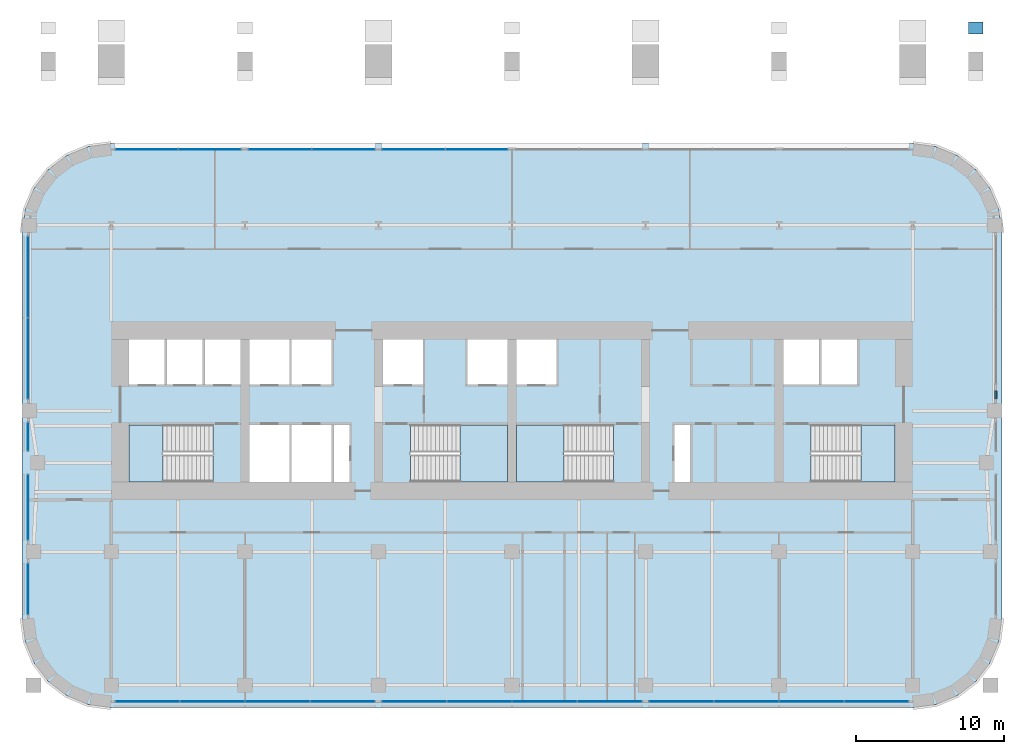
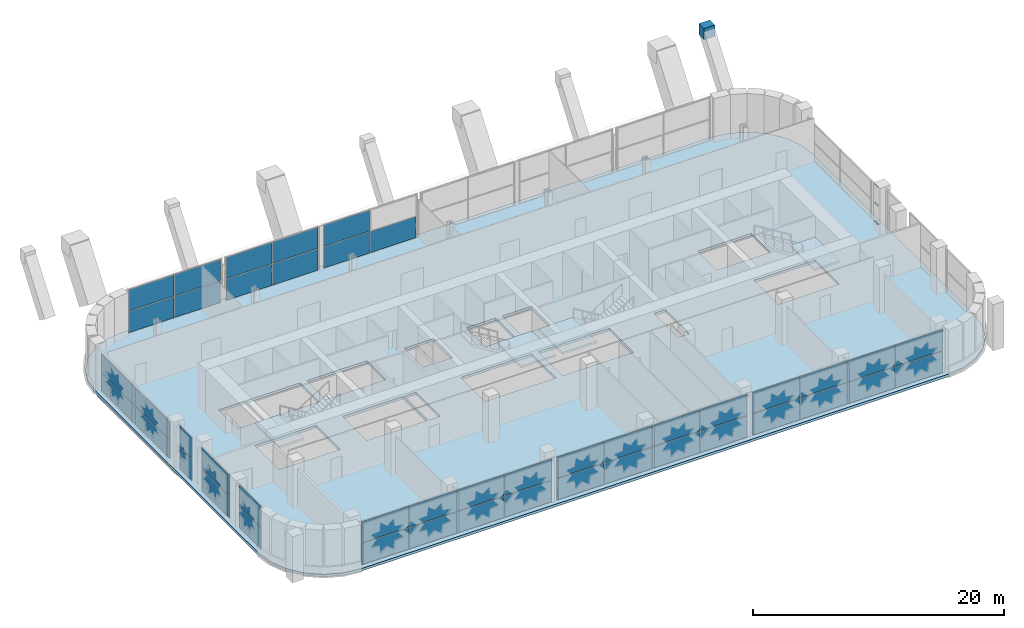
# One storey, part 13 of 24: 45 plates, 5 slabs, 3 members, 1 beam, 15 elements without a shape of their own.
"""IFC4 building model written with IfcOpenShell, lengths in metres."""

from ifc_helpers import new_model, si_unit, direction, frame, origin, origin_2d, place, context, subcontext, project, spatial, polyline, rectangle, outline, extrude, material, layer, layer_set, material_profile, profile_set, type_object, element, aggregate, save


model = new_model("IFC4")

# Units and contexts
model_context = context("Model", 3, precision=1e-05, world=origin(), true_north=direction((0.0, 1.0)))
body_context = subcontext(model_context, "Body", "Model", "MODEL_VIEW")
ifc_project = project(units=[si_unit("LENGTHUNIT", "METRE"), si_unit("AREAUNIT", "SQUARE_METRE"), si_unit("VOLUMEUNIT", "CUBIC_METRE"), si_unit("PLANEANGLEUNIT", "RADIAN"), si_unit("MASSUNIT", "GRAM", prefix="KILO")], contexts=[model_context])

# Site, building, storey
site_placement = place(None, origin())
site = spatial("IfcSite", under=ifc_project, at=site_placement, CompositionType="ELEMENT")
building_placement = place(site_placement, origin())
building = spatial("IfcBuilding", under=site, at=building_placement, Name="Zellij Exchange Tower", CompositionType="ELEMENT")
storey_placement = place(building_placement, frame((0.0, 0.0, 48.0)))
storey = spatial("IfcBuildingStorey", under=building, at=storey_placement, Name="L08", CompositionType="ELEMENT", Elevation=48.0)

# Curtain wall, members
ifc_material_1 = material(Name="Aluminium frame, clear insulating glass", Category="aluminium")
curtain_wall_type = type_object("IfcCurtainWallType", Name="ENV-CW1 Sky-garden glazing", PredefinedType="NOTDEFINED", material=ifc_material_1)
curtain_wall_1_placement = place(storey_placement, origin())
curtain_wall_1 = element("IfcCurtainWall", 1, at=curtain_wall_1_placement, inside=storey, type_object=curtain_wall_type, Name="cw.L08.07d", PredefinedType="NOTDEFINED")
ifc_material_2 = material(Name="Aluminium", Category="aluminium")
ifc_material_profile_1 = material_profile(ifc_material_2, rectangle(XDim=0.1201171875, YDim=0.06005859375, at=origin_2d()), Name="AL 120x60")
ifc_profile_set_1 = profile_set([ifc_material_profile_1], Name="Aluminium")
member_type = type_object("IfcMemberType", Name="ENV-CW1T Transom 120x60", PredefinedType="USERDEFINED", material=ifc_profile_set_1)
member_1_placement = place(storey_placement, frame((32.60009765625, -7.18994140625, 0.030029296875), z_axis=(0.0, 1.0, 0.0), x_axis=(-1.0, 0.0, 0.0)))
member_1 = element("IfcMember", 2, at=member_1_placement, type_object=member_type, Name="CW1 transom 1.1", ObjectType="TRANSOM", PredefinedType="USERDEFINED", context=body_context, shape_type="SweptSolid", body=[
    extrude(rectangle(XDim=0.1201171875, YDim=0.06005859375, at=origin_2d()), origin(), (0.0, 0.0, 1.0), 0.524658203125),
])
member_2_placement = place(storey_placement, frame((32.60009765625, -7.18994140625, 1.8388671875), z_axis=(0.0, 1.0, 0.0), x_axis=(-1.0, 0.0, 0.0)))
member_2 = element("IfcMember", 3, at=member_2_placement, type_object=member_type, Name="CW1 transom 1.2", ObjectType="TRANSOM", PredefinedType="USERDEFINED", context=body_context, shape_type="SweptSolid", body=[
    extrude(rectangle(XDim=0.1201171875, YDim=0.06005859375, at=origin_2d()), origin(), (0.0, 0.0, 1.0), 0.524658203125),
])
member_3_placement = place(storey_placement, frame((32.60009765625, -7.18994140625, 3.647705078125), z_axis=(0.0, 1.0, 0.0), x_axis=(-1.0, 0.0, 0.0)))
member_3 = element("IfcMember", 4, at=member_3_placement, type_object=member_type, Name="CW1 transom 1.3", ObjectType="TRANSOM", PredefinedType="USERDEFINED", context=body_context, shape_type="SweptSolid", body=[
    extrude(rectangle(XDim=0.1201171875, YDim=0.06005859375, at=origin_2d()), origin(), (0.0, 0.0, 1.0), 0.524658203125),
])
aggregate(curtain_wall_1, [member_1, member_2, member_3])

# Beam
ifc_material_3 = material(Name="Concrete C70/85", Category="concrete")
ifc_material_profile_2 = material_profile(ifc_material_3, rectangle(XDim=1.0, YDim=1.10009765625, at=origin_2d()), Name="STR-KNUCKLE BLOCK RC1000x1100 C70/85")
ifc_profile_set_2 = profile_set([ifc_material_profile_2], Name="Concrete C70/85")
beam_type = type_object("IfcBeamType", Name="STR-KNUCKLE BLOCK RC1000x1100 C70/85", PredefinedType="BEAM", material=ifc_profile_set_2)
beam_placement = place(storey_placement, frame((31.25, 17.377685546875, 4.27490234375), z_axis=(0.0, 1.0, 0.0), x_axis=(-1.0, 0.0, 0.0)))
element("IfcBeam", 5, at=beam_placement, inside=storey, type_object=beam_type, Name="KB4", PredefinedType="BEAM", context=body_context, shape_type="SweptSolid", body=[
    extrude(rectangle(XDim=1.0, YDim=1.10009765625, at=origin_2d()), origin(), (0.0, 0.0, 1.0), 0.8037109375),
])

# Stair, slab
ifc_material_4 = material(Name="Concrete C40/50", Category="concrete")
stair_type = type_object("IfcStairType", Name="CORE-ST exit stair 1850 wide", PredefinedType="HALF_TURN_STAIR", material=ifc_material_4)
stair_1_placement = place(storey_placement, origin())
stair_1 = element("IfcStair", 6, at=stair_1_placement, inside=storey, type_object=stair_type, Name="L08 exit stair ST1", PredefinedType="HALF_TURN_STAIR")
ifc_layer_1 = layer(ifc_material_4, 0.199951171875)
ifc_layer_set_1 = layer_set([ifc_layer_1], Name="Concrete C40/50")
slab_type_1 = type_object("IfcSlabType", Name="CORE-SL stair landing 200", PredefinedType="LANDING", material=ifc_layer_set_1)
slab_1_placement = place(storey_placement, frame((0.0, 0.0, 2.050048828125)))
slab_1 = element("IfcSlab", 7, at=slab_1_placement, type_object=slab_type_1, Name="ST1 landing 1", PredefinedType="LANDING", context=body_context, shape_type="SweptSolid", body=[
    extrude(outline(polyline([(-23.510009765625, -8.949951171875), (-25.800048828125, -8.949951171875), (-25.800048828125, -12.800048828125), (-23.510009765625, -12.800048828125), (-23.510009765625, -8.949951171875)])), origin(), (0.0, 0.0, 1.0), 0.199951171875),
])
aggregate(stair_1, [slab_1])

stair_2_placement = place(storey_placement, origin())
stair_2 = element("IfcStair", 8, at=stair_2_placement, inside=storey, type_object=stair_type, Name="L08 exit stair ST2", PredefinedType="HALF_TURN_STAIR")
slab_2_placement = place(storey_placement, frame((0.0, 0.0, 2.050048828125)))
slab_2 = element("IfcSlab", 9, at=slab_2_placement, type_object=slab_type_1, Name="ST2 landing 1", PredefinedType="LANDING", context=body_context, shape_type="SweptSolid", body=[
    extrude(outline(polyline([(-3.489990234375, -12.800048828125), (-0.300048828125, -12.800048828125), (-0.300048828125, -8.949951171875), (-3.489990234375, -8.949951171875), (-3.489990234375, -12.800048828125)])), origin(), (0.0, 0.0, 1.0), 0.199951171875),
])
aggregate(stair_2, [slab_2])

stair_3_placement = place(storey_placement, origin())
stair_3 = element("IfcStair", 10, at=stair_3_placement, inside=storey, type_object=stair_type, Name="L08 exit stair ST3", PredefinedType="HALF_TURN_STAIR")
slab_3_placement = place(storey_placement, frame((0.0, 0.0, 2.050048828125)))
slab_3 = element("IfcSlab", 11, at=slab_3_placement, type_object=slab_type_1, Name="ST3 landing 1", PredefinedType="LANDING", context=body_context, shape_type="SweptSolid", body=[
    extrude(outline(polyline([(3.489990234375, -8.949951171875), (0.300048828125, -8.949951171875), (0.300048828125, -12.800048828125), (3.489990234375, -12.800048828125), (3.489990234375, -8.949951171875)])), origin(), (0.0, 0.0, 1.0), 0.199951171875),
])
aggregate(stair_3, [slab_3])

stair_4_placement = place(storey_placement, origin())
stair_4 = element("IfcStair", 12, at=stair_4_placement, inside=storey, type_object=stair_type, Name="L08 exit stair ST4", PredefinedType="HALF_TURN_STAIR")
slab_4_placement = place(storey_placement, frame((0.0, 0.0, 2.050048828125)))
slab_4 = element("IfcSlab", 13, at=slab_4_placement, type_object=slab_type_1, Name="ST4 landing 1", PredefinedType="LANDING", context=body_context, shape_type="SweptSolid", body=[
    extrude(outline(polyline([(23.510009765625, -12.800048828125), (25.800048828125, -12.800048828125), (25.800048828125, -8.949951171875), (23.510009765625, -8.949951171875), (23.510009765625, -12.800048828125)])), origin(), (0.0, 0.0, 1.0), 0.199951171875),
])
aggregate(stair_4, [slab_4])

# Curtain wall, plates
curtain_wall_2_placement = place(storey_placement, origin())
curtain_wall_2 = element("IfcCurtainWall", 14, at=curtain_wall_2_placement, inside=storey, type_object=curtain_wall_type, Name="cw.L08.00a", PredefinedType="NOTDEFINED")
ifc_material_5 = material(Name="Insulating glass unit, clear", Category="glass")
ifc_layer_2 = layer(ifc_material_5, 0.031982421875)
ifc_layer_set_2 = layer_set([ifc_layer_2], Name="Insulating glass unit, clear")
plate_type = type_object("IfcPlateType", Name="ENV-CW1P Glazed panel 32", PredefinedType="CURTAIN_PANEL", material=ifc_layer_set_2)
plate_1_placement = place(storey_placement, frame((-24.56201171875, -27.60009765625, 0.06005859375), z_axis=(0.0, 0.0, 1.0), x_axis=(1.0, 0.0, 0.0)))
plate_1 = element("IfcPlate", 15, at=plate_1_placement, type_object=plate_type, Name="CW1 panel 1.1", PredefinedType="CURTAIN_PANEL", context=body_context, shape_type="SweptSolid", body=[
    extrude(rectangle(XDim=4.303466796875, YDim=0.031982421875, at=origin_2d()), origin(), (0.0, 0.0, 1.0), 2.06005859375),
])
plate_2_placement = place(storey_placement, frame((-24.56201171875, -27.60009765625, 2.179931640625), z_axis=(0.0, 0.0, 1.0), x_axis=(1.0, 0.0, 0.0)))
plate_2 = element("IfcPlate", 16, at=plate_2_placement, type_object=plate_type, Name="CW1 panel 1.2", PredefinedType="CURTAIN_PANEL", context=body_context, shape_type="SweptSolid", body=[
    extrude(rectangle(XDim=4.303466796875, YDim=0.031982421875, at=origin_2d()), origin(), (0.0, 0.0, 1.0), 2.06005859375),
])
plate_3_placement = place(storey_placement, frame((-20.18359375, -27.60009765625, 0.06005859375), z_axis=(0.0, 0.0, 1.0), x_axis=(1.0, 0.0, 0.0)))
plate_3 = element("IfcPlate", 17, at=plate_3_placement, type_object=plate_type, Name="CW1 panel 2.1", PredefinedType="CURTAIN_PANEL", context=body_context, shape_type="SweptSolid", body=[
    extrude(rectangle(XDim=4.33349609375, YDim=0.031982421875, at=origin_2d()), origin(), (0.0, 0.0, 1.0), 2.06005859375),
])
plate_4_placement = place(storey_placement, frame((-20.18359375, -27.60009765625, 2.179931640625), z_axis=(0.0, 0.0, 1.0), x_axis=(1.0, 0.0, 0.0)))
plate_4 = element("IfcPlate", 18, at=plate_4_placement, type_object=plate_type, Name="CW1 panel 2.2", PredefinedType="CURTAIN_PANEL", context=body_context, shape_type="SweptSolid", body=[
    extrude(rectangle(XDim=4.33349609375, YDim=0.031982421875, at=origin_2d()), origin(), (0.0, 0.0, 1.0), 2.06005859375),
])
plate_5_placement = place(storey_placement, frame((-15.790283203125, -27.60009765625, 0.06005859375), z_axis=(0.0, 0.0, 1.0), x_axis=(1.0, 0.0, 0.0)))
plate_5 = element("IfcPlate", 19, at=plate_5_placement, type_object=plate_type, Name="CW1 panel 3.1", PredefinedType="CURTAIN_PANEL", context=body_context, shape_type="SweptSolid", body=[
    extrude(rectangle(XDim=4.33349609375, YDim=0.031982421875, at=origin_2d()), origin(), (0.0, 0.0, 1.0), 2.06005859375),
])
plate_6_placement = place(storey_placement, frame((-15.790283203125, -27.60009765625, 2.179931640625), z_axis=(0.0, 0.0, 1.0), x_axis=(1.0, 0.0, 0.0)))
plate_6 = element("IfcPlate", 20, at=plate_6_placement, type_object=plate_type, Name="CW1 panel 3.2", PredefinedType="CURTAIN_PANEL", context=body_context, shape_type="SweptSolid", body=[
    extrude(rectangle(XDim=4.33349609375, YDim=0.031982421875, at=origin_2d()), origin(), (0.0, 0.0, 1.0), 2.06005859375),
])
plate_7_placement = place(storey_placement, frame((-11.41162109375, -27.60009765625, 0.06005859375), z_axis=(0.0, 0.0, 1.0), x_axis=(1.0, 0.0, 0.0)))
plate_7 = element("IfcPlate", 21, at=plate_7_placement, type_object=plate_type, Name="CW1 panel 4.1", PredefinedType="CURTAIN_PANEL", context=body_context, shape_type="SweptSolid", body=[
    extrude(rectangle(XDim=4.303466796875, YDim=0.031982421875, at=origin_2d()), origin(), (0.0, 0.0, 1.0), 2.06005859375),
])
plate_8_placement = place(storey_placement, frame((-11.41162109375, -27.60009765625, 2.179931640625), z_axis=(0.0, 0.0, 1.0), x_axis=(1.0, 0.0, 0.0)))
plate_8 = element("IfcPlate", 22, at=plate_8_placement, type_object=plate_type, Name="CW1 panel 4.2", PredefinedType="CURTAIN_PANEL", context=body_context, shape_type="SweptSolid", body=[
    extrude(rectangle(XDim=4.303466796875, YDim=0.031982421875, at=origin_2d()), origin(), (0.0, 0.0, 1.0), 2.06005859375),
])
aggregate(curtain_wall_2, [plate_1, plate_2, plate_3, plate_4, plate_5, plate_6, plate_7, plate_8])

curtain_wall_3_placement = place(storey_placement, origin())
curtain_wall_3 = element("IfcCurtainWall", 23, at=curtain_wall_3_placement, inside=storey, type_object=curtain_wall_type, Name="cw.L08.00b", PredefinedType="NOTDEFINED")
plate_9_placement = place(storey_placement, frame((-6.5849609375, -27.60009765625, 0.06005859375), z_axis=(0.0, 0.0, 1.0), x_axis=(1.0, 0.0, 0.0)))
plate_9 = element("IfcPlate", 24, at=plate_9_placement, type_object=plate_type, Name="CW1 panel 1.1", PredefinedType="CURTAIN_PANEL", context=body_context, shape_type="SweptSolid", body=[
    extrude(rectangle(XDim=4.31005859375, YDim=0.031982421875, at=origin_2d()), origin(), (0.0, 0.0, 1.0), 2.06005859375),
])
plate_10_placement = place(storey_placement, frame((-6.5849609375, -27.60009765625, 2.179931640625), z_axis=(0.0, 0.0, 1.0), x_axis=(1.0, 0.0, 0.0)))
plate_10 = element("IfcPlate", 25, at=plate_10_placement, type_object=plate_type, Name="CW1 panel 1.2", PredefinedType="CURTAIN_PANEL", context=body_context, shape_type="SweptSolid", body=[
    extrude(rectangle(XDim=4.31005859375, YDim=0.031982421875, at=origin_2d()), origin(), (0.0, 0.0, 1.0), 2.06005859375),
])
plate_11_placement = place(storey_placement, frame((-2.199951171875, -27.60009765625, 0.06005859375), z_axis=(0.0, 0.0, 1.0), x_axis=(1.0, 0.0, 0.0)))
plate_11 = element("IfcPlate", 26, at=plate_11_placement, type_object=plate_type, Name="CW1 panel 2.1", PredefinedType="CURTAIN_PANEL", context=body_context, shape_type="SweptSolid", body=[
    extrude(rectangle(XDim=4.340087890625, YDim=0.031982421875, at=origin_2d()), origin(), (0.0, 0.0, 1.0), 2.06005859375),
])
plate_12_placement = place(storey_placement, frame((-2.199951171875, -27.60009765625, 2.179931640625), z_axis=(0.0, 0.0, 1.0), x_axis=(1.0, 0.0, 0.0)))
plate_12 = element("IfcPlate", 27, at=plate_12_placement, type_object=plate_type, Name="CW1 panel 2.2", PredefinedType="CURTAIN_PANEL", context=body_context, shape_type="SweptSolid", body=[
    extrude(rectangle(XDim=4.340087890625, YDim=0.031982421875, at=origin_2d()), origin(), (0.0, 0.0, 1.0), 2.06005859375),
])
plate_13_placement = place(storey_placement, frame((2.199951171875, -27.60009765625, 0.06005859375), z_axis=(0.0, 0.0, 1.0), x_axis=(1.0, 0.0, 0.0)))
plate_13 = element("IfcPlate", 28, at=plate_13_placement, type_object=plate_type, Name="CW1 panel 3.1", PredefinedType="CURTAIN_PANEL", context=body_context, shape_type="SweptSolid", body=[
    extrude(rectangle(XDim=4.340087890625, YDim=0.031982421875, at=origin_2d()), origin(), (0.0, 0.0, 1.0), 2.06005859375),
])
plate_14_placement = place(storey_placement, frame((2.199951171875, -27.60009765625, 2.179931640625), z_axis=(0.0, 0.0, 1.0), x_axis=(1.0, 0.0, 0.0)))
plate_14 = element("IfcPlate", 29, at=plate_14_placement, type_object=plate_type, Name="CW1 panel 3.2", PredefinedType="CURTAIN_PANEL", context=body_context, shape_type="SweptSolid", body=[
    extrude(rectangle(XDim=4.340087890625, YDim=0.031982421875, at=origin_2d()), origin(), (0.0, 0.0, 1.0), 2.06005859375),
])
plate_15_placement = place(storey_placement, frame((6.5849609375, -27.60009765625, 0.06005859375), z_axis=(0.0, 0.0, 1.0), x_axis=(1.0, 0.0, 0.0)))
plate_15 = element("IfcPlate", 30, at=plate_15_placement, type_object=plate_type, Name="CW1 panel 4.1", PredefinedType="CURTAIN_PANEL", context=body_context, shape_type="SweptSolid", body=[
    extrude(rectangle(XDim=4.31005859375, YDim=0.031982421875, at=origin_2d()), origin(), (0.0, 0.0, 1.0), 2.06005859375),
])
plate_16_placement = place(storey_placement, frame((6.5849609375, -27.60009765625, 2.179931640625), z_axis=(0.0, 0.0, 1.0), x_axis=(1.0, 0.0, 0.0)))
plate_16 = element("IfcPlate", 31, at=plate_16_placement, type_object=plate_type, Name="CW1 panel 4.2", PredefinedType="CURTAIN_PANEL", context=body_context, shape_type="SweptSolid", body=[
    extrude(rectangle(XDim=4.31005859375, YDim=0.031982421875, at=origin_2d()), origin(), (0.0, 0.0, 1.0), 2.06005859375),
])
aggregate(curtain_wall_3, [plate_9, plate_10, plate_11, plate_12, plate_13, plate_14, plate_15, plate_16])

curtain_wall_4_placement = place(storey_placement, origin())
curtain_wall_4 = element("IfcCurtainWall", 32, at=curtain_wall_4_placement, inside=storey, type_object=curtain_wall_type, Name="cw.L08.00c", PredefinedType="NOTDEFINED")
plate_17_placement = place(storey_placement, frame((11.41162109375, -27.60009765625, 0.06005859375), z_axis=(0.0, 0.0, 1.0), x_axis=(1.0, 0.0, 0.0)))
plate_17 = element("IfcPlate", 33, at=plate_17_placement, type_object=plate_type, Name="CW1 panel 1.1", PredefinedType="CURTAIN_PANEL", context=body_context, shape_type="SweptSolid", body=[
    extrude(rectangle(XDim=4.303466796875, YDim=0.031982421875, at=origin_2d()), origin(), (0.0, 0.0, 1.0), 2.06005859375),
])
plate_18_placement = place(storey_placement, frame((11.41162109375, -27.60009765625, 2.179931640625), z_axis=(0.0, 0.0, 1.0), x_axis=(1.0, 0.0, 0.0)))
plate_18 = element("IfcPlate", 34, at=plate_18_placement, type_object=plate_type, Name="CW1 panel 1.2", PredefinedType="CURTAIN_PANEL", context=body_context, shape_type="SweptSolid", body=[
    extrude(rectangle(XDim=4.303466796875, YDim=0.031982421875, at=origin_2d()), origin(), (0.0, 0.0, 1.0), 2.06005859375),
])
plate_19_placement = place(storey_placement, frame((15.790283203125, -27.60009765625, 0.06005859375), z_axis=(0.0, 0.0, 1.0), x_axis=(1.0, 0.0, 0.0)))
plate_19 = element("IfcPlate", 35, at=plate_19_placement, type_object=plate_type, Name="CW1 panel 2.1", PredefinedType="CURTAIN_PANEL", context=body_context, shape_type="SweptSolid", body=[
    extrude(rectangle(XDim=4.33349609375, YDim=0.031982421875, at=origin_2d()), origin(), (0.0, 0.0, 1.0), 2.06005859375),
])
plate_20_placement = place(storey_placement, frame((15.790283203125, -27.60009765625, 2.179931640625), z_axis=(0.0, 0.0, 1.0), x_axis=(1.0, 0.0, 0.0)))
plate_20 = element("IfcPlate", 36, at=plate_20_placement, type_object=plate_type, Name="CW1 panel 2.2", PredefinedType="CURTAIN_PANEL", context=body_context, shape_type="SweptSolid", body=[
    extrude(rectangle(XDim=4.33349609375, YDim=0.031982421875, at=origin_2d()), origin(), (0.0, 0.0, 1.0), 2.06005859375),
])
plate_21_placement = place(storey_placement, frame((20.18359375, -27.60009765625, 0.06005859375), z_axis=(0.0, 0.0, 1.0), x_axis=(1.0, 0.0, 0.0)))
plate_21 = element("IfcPlate", 37, at=plate_21_placement, type_object=plate_type, Name="CW1 panel 3.1", PredefinedType="CURTAIN_PANEL", context=body_context, shape_type="SweptSolid", body=[
    extrude(rectangle(XDim=4.33349609375, YDim=0.031982421875, at=origin_2d()), origin(), (0.0, 0.0, 1.0), 2.06005859375),
])
plate_22_placement = place(storey_placement, frame((20.18359375, -27.60009765625, 2.179931640625), z_axis=(0.0, 0.0, 1.0), x_axis=(1.0, 0.0, 0.0)))
plate_22 = element("IfcPlate", 38, at=plate_22_placement, type_object=plate_type, Name="CW1 panel 3.2", PredefinedType="CURTAIN_PANEL", context=body_context, shape_type="SweptSolid", body=[
    extrude(rectangle(XDim=4.33349609375, YDim=0.031982421875, at=origin_2d()), origin(), (0.0, 0.0, 1.0), 2.06005859375),
])
plate_23_placement = place(storey_placement, frame((24.56201171875, -27.60009765625, 0.06005859375), z_axis=(0.0, 0.0, 1.0), x_axis=(1.0, 0.0, 0.0)))
plate_23 = element("IfcPlate", 39, at=plate_23_placement, type_object=plate_type, Name="CW1 panel 4.1", PredefinedType="CURTAIN_PANEL", context=body_context, shape_type="SweptSolid", body=[
    extrude(rectangle(XDim=4.303466796875, YDim=0.031982421875, at=origin_2d()), origin(), (0.0, 0.0, 1.0), 2.06005859375),
])
plate_24_placement = place(storey_placement, frame((24.56201171875, -27.60009765625, 2.179931640625), z_axis=(0.0, 0.0, 1.0), x_axis=(1.0, 0.0, 0.0)))
plate_24 = element("IfcPlate", 40, at=plate_24_placement, type_object=plate_type, Name="CW1 panel 4.2", PredefinedType="CURTAIN_PANEL", context=body_context, shape_type="SweptSolid", body=[
    extrude(rectangle(XDim=4.303466796875, YDim=0.031982421875, at=origin_2d()), origin(), (0.0, 0.0, 1.0), 2.06005859375),
])
aggregate(curtain_wall_4, [plate_17, plate_18, plate_19, plate_20, plate_21, plate_22, plate_23, plate_24])

curtain_wall_5_placement = place(storey_placement, origin())
curtain_wall_5 = element("IfcCurtainWall", 41, at=curtain_wall_5_placement, inside=storey, type_object=curtain_wall_type, Name="cw.L08.14b.b", PredefinedType="NOTDEFINED")
plate_25_placement = place(storey_placement, frame((-2.3759765625, 9.60009765625, 0.06005859375), z_axis=(0.0, 0.0, 1.0), x_axis=(-1.0, 0.0, 0.0)))
plate_25 = element("IfcPlate", 42, at=plate_25_placement, type_object=plate_type, Name="CW1 panel 1.1", PredefinedType="CURTAIN_PANEL", context=body_context, shape_type="SweptSolid", body=[
    extrude(rectangle(XDim=4.20263671875, YDim=0.031982421875, at=origin_2d()), origin(), (0.0, 0.0, 1.0), 2.06005859375),
])
plate_26_placement = place(storey_placement, frame((-6.638671875, 9.60009765625, 0.06005859375), z_axis=(0.0, 0.0, 1.0), x_axis=(-1.0, 0.0, 0.0)))
plate_26 = element("IfcPlate", 43, at=plate_26_placement, type_object=plate_type, Name="CW1 panel 2.1", PredefinedType="CURTAIN_PANEL", context=body_context, shape_type="SweptSolid", body=[
    extrude(rectangle(XDim=4.20263671875, YDim=0.031982421875, at=origin_2d()), origin(), (0.0, 0.0, 1.0), 2.06005859375),
])
plate_27_placement = place(storey_placement, frame((-6.638671875, 9.60009765625, 2.179931640625), z_axis=(0.0, 0.0, 1.0), x_axis=(-1.0, 0.0, 0.0)))
plate_27 = element("IfcPlate", 44, at=plate_27_placement, type_object=plate_type, Name="CW1 panel 2.2", PredefinedType="CURTAIN_PANEL", context=body_context, shape_type="SweptSolid", body=[
    extrude(rectangle(XDim=4.20263671875, YDim=0.031982421875, at=origin_2d()), origin(), (0.0, 0.0, 1.0), 2.06005859375),
])
aggregate(curtain_wall_5, [plate_25, plate_26, plate_27])

curtain_wall_6_placement = place(storey_placement, origin())
curtain_wall_6 = element("IfcCurtainWall", 45, at=curtain_wall_6_placement, inside=storey, type_object=curtain_wall_type, Name="cw.L08.14c.a", PredefinedType="NOTDEFINED")
plate_28_placement = place(storey_placement, frame((-11.361328125, 9.60009765625, 0.06005859375), z_axis=(0.0, 0.0, 1.0), x_axis=(-1.0, 0.0, 0.0)))
plate_28 = element("IfcPlate", 46, at=plate_28_placement, type_object=plate_type, Name="CW1 panel 1.1", PredefinedType="CURTAIN_PANEL", context=body_context, shape_type="SweptSolid", body=[
    extrude(rectangle(XDim=4.20263671875, YDim=0.031982421875, at=origin_2d()), origin(), (0.0, 0.0, 1.0), 2.06005859375),
])
plate_29_placement = place(storey_placement, frame((-11.361328125, 9.60009765625, 2.179931640625), z_axis=(0.0, 0.0, 1.0), x_axis=(-1.0, 0.0, 0.0)))
plate_29 = element("IfcPlate", 47, at=plate_29_placement, type_object=plate_type, Name="CW1 panel 1.2", PredefinedType="CURTAIN_PANEL", context=body_context, shape_type="SweptSolid", body=[
    extrude(rectangle(XDim=4.20263671875, YDim=0.031982421875, at=origin_2d()), origin(), (0.0, 0.0, 1.0), 2.06005859375),
])
plate_30_placement = place(storey_placement, frame((-15.6240234375, 9.60009765625, 0.06005859375), z_axis=(0.0, 0.0, 1.0), x_axis=(-1.0, 0.0, 0.0)))
plate_30 = element("IfcPlate", 48, at=plate_30_placement, type_object=plate_type, Name="CW1 panel 2.1", PredefinedType="CURTAIN_PANEL", context=body_context, shape_type="SweptSolid", body=[
    extrude(rectangle(XDim=4.20263671875, YDim=0.031982421875, at=origin_2d()), origin(), (0.0, 0.0, 1.0), 2.06005859375),
])
plate_31_placement = place(storey_placement, frame((-15.6240234375, 9.60009765625, 2.179931640625), z_axis=(0.0, 0.0, 1.0), x_axis=(-1.0, 0.0, 0.0)))
plate_31 = element("IfcPlate", 49, at=plate_31_placement, type_object=plate_type, Name="CW1 panel 2.2", PredefinedType="CURTAIN_PANEL", context=body_context, shape_type="SweptSolid", body=[
    extrude(rectangle(XDim=4.20263671875, YDim=0.031982421875, at=origin_2d()), origin(), (0.0, 0.0, 1.0), 2.06005859375),
])
aggregate(curtain_wall_6, [plate_28, plate_29, plate_30, plate_31])

curtain_wall_7_placement = place(storey_placement, origin())
curtain_wall_7 = element("IfcCurtainWall", 50, at=curtain_wall_7_placement, inside=storey, type_object=curtain_wall_type, Name="cw.L08.14c.b", PredefinedType="NOTDEFINED")
plate_32_placement = place(storey_placement, frame((-20.369384765625, 9.60009765625, 0.06005859375), z_axis=(0.0, 0.0, 1.0), x_axis=(-1.0, 0.0, 0.0)))
plate_32 = element("IfcPlate", 51, at=plate_32_placement, type_object=plate_type, Name="CW1 panel 1.1", PredefinedType="CURTAIN_PANEL", context=body_context, shape_type="SweptSolid", body=[
    extrude(rectangle(XDim=4.189697265625, YDim=0.031982421875, at=origin_2d()), origin(), (0.0, 0.0, 1.0), 2.06005859375),
])
plate_33_placement = place(storey_placement, frame((-20.369384765625, 9.60009765625, 2.179931640625), z_axis=(0.0, 0.0, 1.0), x_axis=(-1.0, 0.0, 0.0)))
plate_33 = element("IfcPlate", 52, at=plate_33_placement, type_object=plate_type, Name="CW1 panel 1.2", PredefinedType="CURTAIN_PANEL", context=body_context, shape_type="SweptSolid", body=[
    extrude(rectangle(XDim=4.189697265625, YDim=0.031982421875, at=origin_2d()), origin(), (0.0, 0.0, 1.0), 2.06005859375),
])
plate_34_placement = place(storey_placement, frame((-24.618896484375, 9.60009765625, 0.06005859375), z_axis=(0.0, 0.0, 1.0), x_axis=(-1.0, 0.0, 0.0)))
plate_34 = element("IfcPlate", 53, at=plate_34_placement, type_object=plate_type, Name="CW1 panel 2.1", PredefinedType="CURTAIN_PANEL", context=body_context, shape_type="SweptSolid", body=[
    extrude(rectangle(XDim=4.189697265625, YDim=0.031982421875, at=origin_2d()), origin(), (0.0, 0.0, 1.0), 2.06005859375),
])
plate_35_placement = place(storey_placement, frame((-24.618896484375, 9.60009765625, 2.179931640625), z_axis=(0.0, 0.0, 1.0), x_axis=(-1.0, 0.0, 0.0)))
plate_35 = element("IfcPlate", 54, at=plate_35_placement, type_object=plate_type, Name="CW1 panel 2.2", PredefinedType="CURTAIN_PANEL", context=body_context, shape_type="SweptSolid", body=[
    extrude(rectangle(XDim=4.189697265625, YDim=0.031982421875, at=origin_2d()), origin(), (0.0, 0.0, 1.0), 2.06005859375),
])
aggregate(curtain_wall_7, [plate_32, plate_33, plate_34, plate_35])

curtain_wall_8_placement = place(storey_placement, origin())
curtain_wall_8 = element("IfcCurtainWall", 55, at=curtain_wall_8_placement, inside=storey, type_object=curtain_wall_type, Name="cw.L08.21a", PredefinedType="NOTDEFINED")
plate_36_placement = place(storey_placement, frame((-32.60009765625, 1.0029296875, 0.06005859375), z_axis=(0.0, 0.0, 1.0), x_axis=(0.0, -1.0, 0.0)))
plate_36 = element("IfcPlate", 56, at=plate_36_placement, type_object=plate_type, Name="CW1 panel 1.1", PredefinedType="CURTAIN_PANEL", context=body_context, shape_type="SweptSolid", body=[
    extrude(rectangle(XDim=5.421875, YDim=0.031982421875, at=origin_2d()), origin(), (0.0, 0.0, 1.0), 1.748779296875),
])
plate_37_placement = place(storey_placement, frame((-32.60009765625, 1.0029296875, 1.869140625), z_axis=(0.0, 0.0, 1.0), x_axis=(0.0, -1.0, 0.0)))
plate_37 = element("IfcPlate", 57, at=plate_37_placement, type_object=plate_type, Name="CW1 panel 1.2", PredefinedType="CURTAIN_PANEL", context=body_context, shape_type="SweptSolid", body=[
    extrude(rectangle(XDim=5.421875, YDim=0.031982421875, at=origin_2d()), origin(), (0.0, 0.0, 1.0), 1.748779296875),
])
plate_38_placement = place(storey_placement, frame((-32.60009765625, -4.47900390625, 0.06005859375), z_axis=(0.0, 0.0, 1.0), x_axis=(0.0, -1.0, 0.0)))
plate_38 = element("IfcPlate", 58, at=plate_38_placement, type_object=plate_type, Name="CW1 panel 2.1", PredefinedType="CURTAIN_PANEL", context=body_context, shape_type="SweptSolid", body=[
    extrude(rectangle(XDim=5.421875, YDim=0.031982421875, at=origin_2d()), origin(), (0.0, 0.0, 1.0), 1.748779296875),
])
plate_39_placement = place(storey_placement, frame((-32.60009765625, -4.47900390625, 1.869140625), z_axis=(0.0, 0.0, 1.0), x_axis=(0.0, -1.0, 0.0)))
plate_39 = element("IfcPlate", 59, at=plate_39_placement, type_object=plate_type, Name="CW1 panel 2.2", PredefinedType="CURTAIN_PANEL", context=body_context, shape_type="SweptSolid", body=[
    extrude(rectangle(XDim=5.421875, YDim=0.031982421875, at=origin_2d()), origin(), (0.0, 0.0, 1.0), 1.748779296875),
])
aggregate(curtain_wall_8, [plate_36, plate_37, plate_38, plate_39])

curtain_wall_9_placement = place(storey_placement, origin())
curtain_wall_9 = element("IfcCurtainWall", 60, at=curtain_wall_9_placement, inside=storey, type_object=curtain_wall_type, Name="cw.L08.21b", PredefinedType="NOTDEFINED")
plate_40_placement = place(storey_placement, frame((-32.60009765625, -9.75, 0.06005859375), z_axis=(0.0, 0.0, 1.0), x_axis=(0.0, -1.0, 0.0)))
plate_40 = element("IfcPlate", 61, at=plate_40_placement, type_object=plate_type, Name="CW1 panel 1.1", PredefinedType="CURTAIN_PANEL", context=body_context, shape_type="SweptSolid", body=[
    extrude(rectangle(XDim=1.8798828125, YDim=0.031982421875, at=origin_2d()), origin(), (0.0, 0.0, 1.0), 2.06005859375),
])
plate_41_placement = place(storey_placement, frame((-32.60009765625, -9.75, 2.179931640625), z_axis=(0.0, 0.0, 1.0), x_axis=(0.0, -1.0, 0.0)))
plate_41 = element("IfcPlate", 62, at=plate_41_placement, type_object=plate_type, Name="CW1 panel 1.2", PredefinedType="CURTAIN_PANEL", context=body_context, shape_type="SweptSolid", body=[
    extrude(rectangle(XDim=1.8798828125, YDim=0.031982421875, at=origin_2d()), origin(), (0.0, 0.0, 1.0), 2.06005859375),
])
aggregate(curtain_wall_9, [plate_40, plate_41])

curtain_wall_10_placement = place(storey_placement, origin())
curtain_wall_10 = element("IfcCurtainWall", 63, at=curtain_wall_10_placement, inside=storey, type_object=curtain_wall_type, Name="cw.L08.21c", PredefinedType="NOTDEFINED")
plate_42_placement = place(storey_placement, frame((-32.60009765625, -14.5, 0.06005859375), z_axis=(0.0, 0.0, 1.0), x_axis=(0.0, -1.0, 0.0)))
plate_42 = element("IfcPlate", 64, at=plate_42_placement, type_object=plate_type, Name="CW1 panel 1.1", PredefinedType="CURTAIN_PANEL", context=body_context, shape_type="SweptSolid", body=[
    extrude(rectangle(XDim=4.3798828125, YDim=0.031982421875, at=origin_2d()), origin(), (0.0, 0.0, 1.0), 2.06005859375),
])
plate_43_placement = place(storey_placement, frame((-32.60009765625, -14.5, 2.179931640625), z_axis=(0.0, 0.0, 1.0), x_axis=(0.0, -1.0, 0.0)))
plate_43 = element("IfcPlate", 65, at=plate_43_placement, type_object=plate_type, Name="CW1 panel 1.2", PredefinedType="CURTAIN_PANEL", context=body_context, shape_type="SweptSolid", body=[
    extrude(rectangle(XDim=4.3798828125, YDim=0.031982421875, at=origin_2d()), origin(), (0.0, 0.0, 1.0), 2.06005859375),
])
aggregate(curtain_wall_10, [plate_42, plate_43])

curtain_wall_11_placement = place(storey_placement, origin())
curtain_wall_11 = element("IfcCurtainWall", 66, at=curtain_wall_11_placement, inside=storey, type_object=curtain_wall_type, Name="cw.L08.21d", PredefinedType="NOTDEFINED")
plate_44_placement = place(storey_placement, frame((-32.60009765625, -20.011962890625, 0.06005859375), z_axis=(0.0, 0.0, 1.0), x_axis=(0.0, -1.0, 0.0)))
plate_44 = element("IfcPlate", 67, at=plate_44_placement, type_object=plate_type, Name="CW1 panel 1.1", PredefinedType="CURTAIN_PANEL", context=body_context, shape_type="SweptSolid", body=[
    extrude(rectangle(XDim=3.40380859375, YDim=0.031982421875, at=origin_2d()), origin(), (0.0, 0.0, 1.0), 2.06005859375),
])
plate_45_placement = place(storey_placement, frame((-32.60009765625, -20.011962890625, 2.179931640625), z_axis=(0.0, 0.0, 1.0), x_axis=(0.0, -1.0, 0.0)))
plate_45 = element("IfcPlate", 68, at=plate_45_placement, type_object=plate_type, Name="CW1 panel 1.2", PredefinedType="CURTAIN_PANEL", context=body_context, shape_type="SweptSolid", body=[
    extrude(rectangle(XDim=3.40380859375, YDim=0.031982421875, at=origin_2d()), origin(), (0.0, 0.0, 1.0), 2.06005859375),
])
aggregate(curtain_wall_11, [plate_44, plate_45])

# Slab
ifc_layer_3 = layer(ifc_material_4, 0.25)
ifc_layer_set_3 = layer_set([ifc_layer_3], Name="Concrete C40/50")
slab_type_2 = type_object("IfcSlabType", Name="STR-FLOOR SLAB 250 C40/50", PredefinedType="FLOOR", material=ifc_layer_set_3)
slab_5_placement = place(storey_placement, frame((0.0, 0.0, -0.25)))
element("IfcSlab", 69, at=slab_5_placement, inside=storey, type_object=slab_type_2, Name="Floor L08", PredefinedType="FLOOR", context=body_context, shape_type="SweptSolid", body=[
    extrude(outline(polyline([(-27.0, -28.0), (-28.552978515625, -27.795654296875), (-30.0, -27.1962890625), (-31.24267578125, -26.24267578125), (-32.1962890625, -25.0), (-32.795654296875, -23.552978515625), (-33.0, -22.0), (-33.0, 4.0), (-32.795654296875, 5.552978515625), (-32.1962890625, 7.0), (-31.24267578125, 8.24267578125), (-30.0, 9.1962890625), (-28.552978515625, 9.795654296875), (-27.0, 10.0), (27.0, 10.0), (28.552978515625, 9.795654296875), (30.0, 9.1962890625), (31.24267578125, 8.24267578125), (32.1962890625, 7.0), (32.795654296875, 5.552978515625), (33.0, 4.0), (33.0, -22.0), (32.795654296875, -23.552978515625), (32.1962890625, -25.0), (31.24267578125, -26.24267578125), (30.0, -27.1962890625), (28.552978515625, -27.795654296875), (27.0, -28.0), (-27.0, -28.0)]), holes=[polyline([(-25.800048828125, -8.949951171875), (-25.800048828125, -12.800048828125), (-20.153076171875, -12.800048828125), (-20.153076171875, -8.949951171875), (-25.800048828125, -8.949951171875)]), polyline([(-12.14990234375, -8.949951171875), (-17.699951171875, -8.949951171875), (-17.699951171875, -12.800048828125), (-12.14990234375, -12.800048828125), (-12.14990234375, -8.949951171875)]), polyline([(-10.949951171875, -8.949951171875), (-12.0, -8.949951171875), (-12.0, -12.800048828125), (-10.949951171875, -12.800048828125), (-10.949951171875, -8.949951171875)]), polyline([(-23.39990234375, -3.199951171875), (-25.800048828125, -3.199951171875), (-25.800048828125, -6.22509765625), (-23.39990234375, -6.22509765625), (-23.39990234375, -3.199951171875)]), polyline([(-18.300048828125, -3.199951171875), (-23.25, -3.199951171875), (-23.25, -6.22509765625), (-18.300048828125, -6.22509765625), (-18.300048828125, -3.199951171875)]), polyline([(-12.14990234375, -3.199951171875), (-17.699951171875, -3.199951171875), (-17.699951171875, -6.22509765625), (-12.14990234375, -6.22509765625), (-12.14990234375, -3.199951171875)]), polyline([(-6.0, -3.199951171875), (-8.699951171875, -3.199951171875), (-8.699951171875, -6.22509765625), (-6.0, -6.22509765625), (-6.0, -3.199951171875)]), polyline([(-6.846923828125, -8.949951171875), (-6.846923828125, -12.800048828125), (-0.300048828125, -12.800048828125), (-0.300048828125, -8.949951171875), (-6.846923828125, -8.949951171875)]), polyline([(6.846923828125, -8.949951171875), (0.300048828125, -8.949951171875), (0.300048828125, -12.800048828125), (6.846923828125, -12.800048828125), (6.846923828125, -8.949951171875)]), polyline([(12.0, -8.949951171875), (10.949951171875, -8.949951171875), (10.949951171875, -12.800048828125), (12.0, -12.800048828125), (12.0, -8.949951171875)]), polyline([(25.800048828125, -8.949951171875), (20.153076171875, -8.949951171875), (20.153076171875, -12.800048828125), (25.800048828125, -12.800048828125), (25.800048828125, -8.949951171875)]), polyline([(-0.300048828125, -3.199951171875), (-3.0, -3.199951171875), (-3.0, -6.22509765625), (-0.300048828125, -6.22509765625), (-0.300048828125, -3.199951171875)]), polyline([(3.0, -3.199951171875), (0.300048828125, -3.199951171875), (0.300048828125, -6.22509765625), (3.0, -6.22509765625), (3.0, -3.199951171875)]), polyline([(23.25, -3.199951171875), (18.300048828125, -3.199951171875), (18.300048828125, -6.22509765625), (23.25, -6.22509765625), (23.25, -3.199951171875)])]), origin(), (0.0, 0.0, 1.0), 0.25),
])

save(model, "model.ifc")
